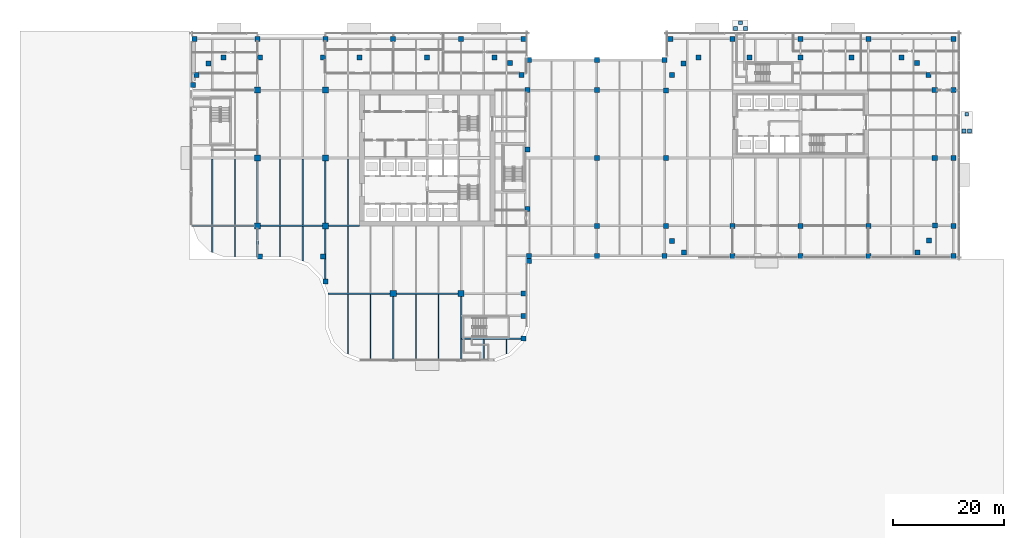
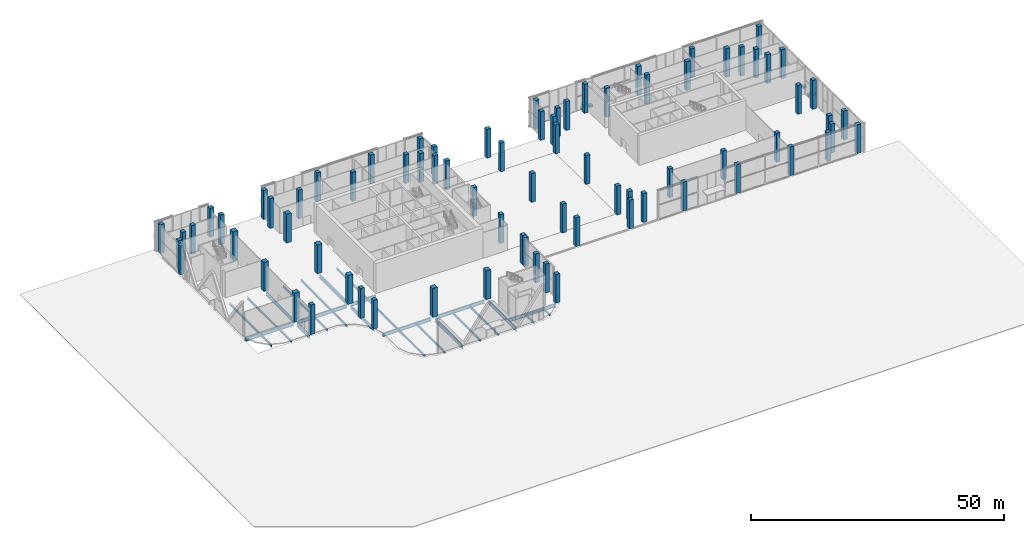
# One storey, part 1 of 36: 78 columns, 28 beams, 6 footings.
"""IFC4 building model written with IfcOpenShell, lengths in metres."""

from ifc_helpers import new_model, si_unit, direction, frame, origin, origin_2d, place, context, subcontext, project, spatial, polyline, rectangle, i_section, outline, extrude, material, layer, layer_set, material_profile, profile_set, type_object, element, save


model = new_model("IFC4")

# Units and contexts
model_context = context("Model", 3, precision=1e-05, world=origin(), true_north=direction((0.0, 1.0)))
body_context = subcontext(model_context, "Body", "Model", "MODEL_VIEW")
ifc_project = project(units=[si_unit("LENGTHUNIT", "METRE"), si_unit("AREAUNIT", "SQUARE_METRE"), si_unit("VOLUMEUNIT", "CUBIC_METRE"), si_unit("PLANEANGLEUNIT", "RADIAN"), si_unit("MASSUNIT", "GRAM", prefix="KILO")], contexts=[model_context])

# Site, building, storey
site_placement = place(None, origin())
site = spatial("IfcSite", under=ifc_project, at=site_placement, CompositionType="ELEMENT")
building_placement = place(site_placement, origin())
building = spatial("IfcBuilding", under=site, at=building_placement, Name="Tessera Gate Towers", CompositionType="ELEMENT")
storey_placement = place(building_placement, origin())
storey = spatial("IfcBuildingStorey", under=building, at=storey_placement, Name="L00", CompositionType="ELEMENT", Elevation=0.0)

# Footings
ifc_material_1 = material(Name="Concrete C30/37", Category="concrete")
ifc_layer = layer(ifc_material_1, 0.5)
ifc_layer_set = layer_set([ifc_layer], Name="APRON PAD FOOTING 700x500 C30/37")
footing_type = type_object("IfcFootingType", Name="APRON PAD FOOTING 700x500 C30/37", PredefinedType="PAD_FOOTING", material=ifc_layer_set)
footing_1_placement = place(storey_placement, frame((0.0, 0.0, -0.699951171875)))
element("IfcFooting", 1, at=footing_1_placement, inside=storey, type_object=footing_type, Name="Apron footing ST7 1", PredefinedType="PAD_FOOTING", context=body_context, shape_type="SweptSolid", body=[
    extrude(outline(polyline([(97.75, 59.550048828125), (98.449951171875, 59.550048828125), (98.449951171875, 60.25), (97.75, 60.25), (97.75, 59.550048828125)])), origin(), (0.0, 0.0, 1.0), 0.5),
])
footing_2_placement = place(storey_placement, frame((0.0, 0.0, -0.699951171875)))
element("IfcFooting", 2, at=footing_2_placement, inside=storey, type_object=footing_type, Name="Apron footing ST7 2", PredefinedType="PAD_FOOTING", context=body_context, shape_type="SweptSolid", body=[
    extrude(outline(polyline([(99.550048828125, 59.550048828125), (100.25, 59.550048828125), (100.25, 60.25), (99.550048828125, 60.25), (99.550048828125, 59.550048828125)])), origin(), (0.0, 0.0, 1.0), 0.5),
])
footing_3_placement = place(storey_placement, frame((0.0, 0.0, -0.699951171875)))
element("IfcFooting", 3, at=footing_3_placement, inside=storey, type_object=footing_type, Name="Apron footing ST7 3", PredefinedType="PAD_FOOTING", context=body_context, shape_type="SweptSolid", body=[
    extrude(outline(polyline([(98.64990234375, 60.550048828125), (99.35009765625, 60.550048828125), (99.35009765625, 61.25), (98.64990234375, 61.25), (98.64990234375, 60.550048828125)])), origin(), (0.0, 0.0, 1.0), 0.5),
])
footing_4_placement = place(storey_placement, frame((0.0, 0.0, -0.699951171875)))
element("IfcFooting", 4, at=footing_4_placement, inside=storey, type_object=footing_type, Name="Apron footing T2-CORE 1", PredefinedType="PAD_FOOTING", context=body_context, shape_type="SweptSolid", body=[
    extrude(outline(polyline([(138.85009765625, 41.10009765625), (139.550048828125, 41.10009765625), (139.550048828125, 41.800048828125), (138.85009765625, 41.800048828125), (138.85009765625, 41.10009765625)])), origin(), (0.0, 0.0, 1.0), 0.5),
])
footing_5_placement = place(storey_placement, frame((0.0, 0.0, -0.699951171875)))
element("IfcFooting", 5, at=footing_5_placement, inside=storey, type_object=footing_type, Name="Apron footing T2-CORE 2", PredefinedType="PAD_FOOTING", context=body_context, shape_type="SweptSolid", body=[
    extrude(outline(polyline([(139.85009765625, 41.10009765625), (140.550048828125, 41.10009765625), (140.550048828125, 41.800048828125), (139.85009765625, 41.800048828125), (139.85009765625, 41.10009765625)])), origin(), (0.0, 0.0, 1.0), 0.5),
])
footing_6_placement = place(storey_placement, frame((0.0, 0.0, -0.699951171875)))
element("IfcFooting", 6, at=footing_6_placement, inside=storey, type_object=footing_type, Name="Apron footing T2-CORE 3", PredefinedType="PAD_FOOTING", context=body_context, shape_type="SweptSolid", body=[
    extrude(outline(polyline([(139.35009765625, 44.10009765625), (140.050048828125, 44.10009765625), (140.050048828125, 44.800048828125), (139.35009765625, 44.800048828125), (139.35009765625, 44.10009765625)])), origin(), (0.0, 0.0, 1.0), 0.5),
])

# Columns
ifc_material_2 = material(Name="Concrete C70/85", Category="concrete")
ifc_material_profile_1 = material_profile(ifc_material_2, rectangle(XDim=1.10009765625, YDim=1.10009765625, at=origin_2d()), Name="RC 1100x1100")
ifc_profile_set_1 = profile_set([ifc_material_profile_1], Name="Concrete C70/85")
column_type_1 = type_object("IfcColumnType", Name="COLUMN RC 1100x1100", PredefinedType="COLUMN", material=ifc_profile_set_1)
for number, where, z_axis, x_axis, name in (
    (7, (12.199951171875, 24.39990234375, 0.0), (0.0, 0.0, 1.0), (1.0, 0.0, 0.0), "T1-COL-2C-L00"),
    (8, (12.199951171875, 36.60009765625, 0.0), (0.0, 0.0, 1.0), (1.0, 0.0, 0.0), "T1-COL-2D-L00"),
    (9, (12.199951171875, 48.800048828125, 0.0), (0.0, 0.0, 1.0), (1.0, 0.0, 0.0), "T1-COL-2E-L00"),
    (10, (24.39990234375, 24.39990234375, 0.0), (0.0, 0.0, 1.0), (1.0, 0.0, 0.0), "T1-COL-3C-L00"),
    (11, (24.39990234375, 36.60009765625, 0.0), (0.0, 0.0, 1.0), (1.0, 0.0, 0.0), "T1-COL-3D-L00"),
    (12, (24.39990234375, 48.800048828125, 0.0), (0.0, 0.0, 1.0), (1.0, 0.0, 0.0), "T1-COL-3E-L00"),
    (13, (36.60009765625, 12.199951171875, 0.0), (0.0, 0.0, 1.0), (1.0, 0.0, 0.0), "T1-COL-4B-L00"),
    (14, (48.800048828125, 12.199951171875, 0.0), (0.0, 0.0, 1.0), (1.0, 0.0, 0.0), "T1-COL-5B-L00"),
):
    element("IfcColumn", number, at=place(storey_placement, frame(where, z_axis=z_axis, x_axis=x_axis)), inside=storey, type_object=column_type_1, Name=name, PredefinedType="COLUMN", context=body_context, shape_type="SweptSolid", body=[
        extrude(rectangle(XDim=1.10009765625, YDim=1.10009765625, at=origin_2d()), origin(), (0.0, 0.0, 1.0), 6.949951171875),
    ])
ifc_material_3 = material(Name="Concrete C70/85", Category="concrete")
ifc_material_profile_2 = material_profile(ifc_material_3, rectangle(XDim=0.89990234375, YDim=0.89990234375, at=origin_2d()), Name="RC 900x900")
ifc_profile_set_2 = profile_set([ifc_material_profile_2], Name="Concrete C70/85")
column_type_2 = type_object("IfcColumnType", Name="COLUMN RC 900x900", PredefinedType="COLUMN", material=ifc_profile_set_2)
for number, where, z_axis, x_axis, name in (
    (15, (12.64990234375, 54.64990234375, 0.0), (0.0, 0.0, 1.0), (1.0, 0.0, 0.0), "PD-COL-E1-L00"),
    (16, (23.949951171875, 54.64990234375, 0.0), (0.0, 0.0, 1.0), (1.0, 0.0, 0.0), "PD-COL-E2-L00"),
):
    element("IfcColumn", number, at=place(storey_placement, frame(where, z_axis=z_axis, x_axis=x_axis)), inside=storey, type_object=column_type_2, Name=name, PredefinedType="COLUMN", context=body_context, shape_type="SweptSolid", body=[
        extrude(rectangle(XDim=0.89990234375, YDim=0.89990234375, at=origin_2d()), origin(), (0.0, 0.0, 1.0), 7.199951171875),
    ])
for number, where, z_axis, x_axis, name in (
    (17, (60.75, 27.449951171875, 0.0), (0.0, 0.0, 1.0), (1.0, 0.0, 0.0), "PD-COL-E3-L00"),
    (18, (60.75, 38.125, 0.0), (0.0, 0.0, 1.0), (1.0, 0.0, 0.0), "PD-COL-E4-L00"),
    (19, (60.75, 48.800048828125, 0.0), (0.0, 0.0, 1.0), (1.0, 0.0, 0.0), "PD-COL-E5-L00"),
    (20, (59.6689453125, 51.555908203125, 0.0), (0.0, 0.0, 1.0), (1.0, 0.0, 0.0), "PD-COL-E6-L00"),
    (21, (57.569091796875, 53.6259765625, 0.0), (0.0, 0.0, 1.0), (1.0, 0.0, 0.0), "PD-COL-E7-L00"),
    (22, (54.81005859375, 54.6669921875, 0.0), (0.0, 0.0, 1.0), (1.0, 0.0, 0.0), "PD-COL-E8-L00"),
    (23, (42.699951171875, 54.64990234375, 0.0), (0.0, 0.0, 1.0), (1.0, 0.0, 0.0), "PD-COL-E9-L00"),
    (24, (30.5, 54.64990234375, 0.0), (0.0, 0.0, 1.0), (1.0, 0.0, 0.0), "PD-COL-E10-L00"),
    (25, (6.10009765625, 54.64990234375, 0.0), (0.0, 0.0, 1.0), (1.0, 0.0, 0.0), "PD-COL-E11-L00"),
    (26, (3.343994140625, 53.569091796875, 0.0), (0.0, 0.0, 1.0), (1.0, 0.0, 0.0), "PD-COL-E12-L00"),
    (27, (1.27392578125, 51.468994140625, 0.0), (0.0, 0.0, 1.0), (1.0, 0.0, 0.0), "PD-COL-E13-L00"),
    (28, (130.85595703125, 19.631103515625, 0.0), (0.0, 0.0, 1.0), (1.0, 0.0, 0.0), "PD-COL-E14-L00"),
    (29, (132.926025390625, 21.73095703125, 0.0), (0.0, 0.0, 1.0), (1.0, 0.0, 0.0), "PD-COL-E15-L00"),
    (30, (133.967041015625, 24.489990234375, 0.0), (0.0, 0.0, 1.0), (1.0, 0.0, 0.0), "PD-COL-E16-L00"),
    (31, (133.949951171875, 36.60009765625, 0.0), (0.0, 0.0, 1.0), (1.0, 0.0, 0.0), "PD-COL-E17-L00"),
    (32, (133.949951171875, 48.800048828125, 0.0), (0.0, 0.0, 1.0), (1.0, 0.0, 0.0), "PD-COL-E18-L00"),
    (33, (132.868896484375, 51.555908203125, 0.0), (0.0, 0.0, 1.0), (1.0, 0.0, 0.0), "PD-COL-E19-L00"),
    (34, (130.76904296875, 53.6259765625, 0.0), (0.0, 0.0, 1.0), (1.0, 0.0, 0.0), "PD-COL-E20-L00"),
    (35, (128.010009765625, 54.6669921875, 0.0), (0.0, 0.0, 1.0), (1.0, 0.0, 0.0), "PD-COL-E21-L00"),
    (36, (118.949951171875, 54.64990234375, 0.0), (0.0, 0.0, 1.0), (1.0, 0.0, 0.0), "PD-COL-E22-L00"),
    (37, (109.800048828125, 54.64990234375, 0.0), (0.0, 0.0, 1.0), (1.0, 0.0, 0.0), "PD-COL-E23-L00"),
    (38, (100.64990234375, 54.64990234375, 0.0), (0.0, 0.0, 1.0), (1.0, 0.0, 0.0), "PD-COL-E24-L00"),
    (39, (91.5, 54.64990234375, 0.0), (0.0, 0.0, 1.0), (1.0, 0.0, 0.0), "PD-COL-E25-L00"),
    (40, (88.743896484375, 53.569091796875, 0.0), (0.0, 0.0, 1.0), (1.0, 0.0, 0.0), "PD-COL-E26-L00"),
    (41, (86.674072265625, 51.468994140625, 0.0), (0.0, 0.0, 1.0), (1.0, 0.0, 0.0), "PD-COL-E27-L00"),
    (42, (85.633056640625, 48.7099609375, 0.0), (0.0, 0.0, 1.0), (1.0, 0.0, 0.0), "PD-COL-E28-L00"),
    (43, (85.64990234375, 36.60009765625, 0.0), (0.0, 0.0, 1.0), (1.0, 0.0, 0.0), "PD-COL-E29-L00"),
    (44, (85.64990234375, 24.39990234375, 0.0), (0.0, 0.0, 1.0), (1.0, 0.0, 0.0), "PD-COL-E30-L00"),
    (45, (86.73095703125, 21.64404296875, 0.0), (0.0, 0.0, 1.0), (1.0, 0.0, 0.0), "PD-COL-E31-L00"),
    (46, (88.8310546875, 19.573974609375, 0.0), (0.0, 0.0, 1.0), (1.0, 0.0, 0.0), "PD-COL-E32-L00"),
    (47, (97.60009765625, 24.39990234375, 0.0), (0.0, 0.0, 1.0), (1.0, 0.0, 0.0), "T2-COL-9C-L00"),
    (48, (109.800048828125, 24.39990234375, 0.0), (0.0, 0.0, 1.0), (1.0, 0.0, 0.0), "T2-COL-10C-L00"),
    (49, (122.0, 24.39990234375, 0.0), (0.0, 0.0, 1.0), (1.0, 0.0, 0.0), "T2-COL-11C-L00"),
    (50, (73.199951171875, 24.39990234375, 0.0), (0.0, 0.0, 1.0), (1.0, 0.0, 0.0), "PD-COL-7C-L00"),
    (51, (73.199951171875, 36.60009765625, 0.0), (0.0, 0.0, 1.0), (1.0, 0.0, 0.0), "PD-COL-7D-L00"),
    (52, (73.199951171875, 48.800048828125, 0.0), (0.0, 0.0, 1.0), (1.0, 0.0, 0.0), "PD-COL-7E-L00"),
    (53, (12.199951171875, 58.0, 0.0), (0.0, 0.0, 1.0), (1.0, 0.0, 0.0), "PD-COL-258-L00"),
    (54, (24.39990234375, 58.0, 0.0), (0.0, 0.0, 1.0), (1.0, 0.0, 0.0), "PD-COL-358-L00"),
    (55, (36.60009765625, 58.0, 0.0), (0.0, 0.0, 1.0), (1.0, 0.0, 0.0), "PD-COL-458-L00"),
    (56, (48.800048828125, 58.0, 0.0), (0.0, 0.0, 1.0), (1.0, 0.0, 0.0), "PD-COL-558-L00"),
    (57, (97.60009765625, 58.0, 0.0), (0.0, 0.0, 1.0), (1.0, 0.0, 0.0), "PD-COL-958-L00"),
    (58, (109.800048828125, 58.0, 0.0), (0.0, 0.0, 1.0), (1.0, 0.0, 0.0), "PD-COL-1058-L00"),
    (59, (122.0, 58.0, 0.0), (0.0, 0.0, 1.0), (1.0, 0.0, 0.0), "PD-COL-1158-L00"),
    (60, (137.300048828125, 58.0, 0.0), (0.0, 0.0, 1.0), (1.0, 0.0, 0.0), "PD-COL-137.358-L00"),
    (61, (137.300048828125, 48.800048828125, 0.0), (0.0, 0.0, 1.0), (1.0, 0.0, 0.0), "PD-COL-137.3E-L00"),
    (62, (137.300048828125, 36.60009765625, 0.0), (0.0, 0.0, 1.0), (1.0, 0.0, 0.0), "PD-COL-137.3D-L00"),
    (63, (137.300048828125, 24.39990234375, 0.0), (0.0, 0.0, 1.0), (1.0, 0.0, 0.0), "PD-COL-137.3C-L00"),
    (64, (61.0, 19.0, 0.0), (0.0, 0.0, 1.0), (1.0, 0.0, 0.0), "PD-COL-619-L00"),
    (65, (73.199951171875, 19.0, 0.0), (0.0, 0.0, 1.0), (1.0, 0.0, 0.0), "PD-COL-719-L00"),
    (66, (85.39990234375, 19.0, 0.0), (0.0, 0.0, 1.0), (1.0, 0.0, 0.0), "PD-COL-819-L00"),
    (67, (97.60009765625, 19.0, 0.0), (0.0, 0.0, 1.0), (1.0, 0.0, 0.0), "PD-COL-919-L00"),
    (68, (109.800048828125, 19.0, 0.0), (0.0, 0.0, 1.0), (1.0, 0.0, 0.0), "PD-COL-1019-L00"),
    (69, (122.0, 19.0, 0.0), (0.0, 0.0, 1.0), (1.0, 0.0, 0.0), "PD-COL-1119-L00"),
    (70, (137.300048828125, 19.0, 0.0), (0.0, 0.0, 1.0), (1.0, 0.0, 0.0), "PD-COL-137.319-L00"),
    (71, (61.0, 54.199951171875, 0.0), (0.0, 0.0, 1.0), (1.0, 0.0, 0.0), "PD-COL-654.2-L00"),
    (72, (73.199951171875, 54.199951171875, 0.0), (0.0, 0.0, 1.0), (1.0, 0.0, 0.0), "PD-COL-754.2-L00"),
    (73, (85.39990234375, 54.199951171875, 0.0), (0.0, 0.0, 1.0), (1.0, 0.0, 0.0), "PD-COL-854.2-L00"),
    (74, (60.0, 58.0, 0.0), (0.0, 0.0, 1.0), (1.0, 0.0, 0.0), "PD-COL-6058-L00"),
    (75, (86.39990234375, 58.0, 0.0), (0.0, 0.0, 1.0), (1.0, 0.0, 0.0), "PD-COL-86.458-L00"),
    (76, (0.89990234375, 58.0, 0.0), (0.0, 0.0, 1.0), (1.0, 0.0, 0.0), "PD-COL-0.958-L00"),
    (77, (60.0, 12.199951171875, 0.0), (0.0, 0.0, 1.0), (1.0, 0.0, 0.0), "PD-COL-60B-L00"),
    (78, (24.39990234375, 14.39990234375, 0.0), (0.0, 0.0, 1.0), (1.0, 0.0, 0.0), "PD-COL-314.4-L00"),
    (79, (60.0, 8.199951171875, 0.0), (0.0, 0.0, 1.0), (1.0, 0.0, 0.0), "PD-COL-608.2-L00"),
    (80, (60.0, 4.10009765625, 0.0), (0.0, 0.0, 1.0), (1.0, 0.0, 0.0), "PD-COL-604.1-L00"),
    (81, (61.0, 18.10009765625, 0.0), (0.0, 0.0, 1.0), (1.0, 0.0, 0.0), "PD-COL-618.1-L00"),
    (82, (0.6201171875, 49.719970703125, 0.0), (0.0, 0.0, 1.0), (1.0, 0.0, 0.0), "PD-COL-0.6249.72-L00"),
):
    element("IfcColumn", number, at=place(storey_placement, frame(where, z_axis=z_axis, x_axis=x_axis)), inside=storey, type_object=column_type_2, Name=name, PredefinedType="COLUMN", context=body_context, shape_type="SweptSolid", body=[
        extrude(rectangle(XDim=0.89990234375, YDim=0.89990234375, at=origin_2d()), origin(), (0.0, 0.0, 1.0), 6.949951171875),
    ])
for number, where, z_axis, x_axis, name in (
    (83, (12.64990234375, 18.89990234375, 0.0), (0.0, 0.0, 1.0), (1.0, 0.0, 0.0), "PD-COL-MOUTH1-L00"),
    (84, (23.949951171875, 18.89990234375, 0.0), (0.0, 0.0, 1.0), (1.0, 0.0, 0.0), "PD-COL-MOUTH2-L00"),
):
    element("IfcColumn", number, at=place(storey_placement, frame(where, z_axis=z_axis, x_axis=x_axis)), inside=storey, type_object=column_type_2, Name=name, PredefinedType="COLUMN", context=body_context, shape_type="SweptSolid", body=[
        extrude(rectangle(XDim=0.89990234375, YDim=0.89990234375, at=origin_2d()), origin(), (0.0, 0.0, 1.0), 7.199951171875),
    ])

# Beams
ifc_material_4 = material(Name="Steel 350W", Category="steel")
ifc_material_profile_3 = material_profile(ifc_material_4, i_section(OverallWidth=0.2919921875, OverallDepth=0.8349609375, WebThickness=0.013916015625, FlangeThickness=0.018798828125, at=origin_2d()), Name="W840x176")
ifc_profile_set_3 = profile_set([ifc_material_profile_3], Name="Steel 350W")
beam_type_1 = type_object("IfcBeamType", Name="FLOOR GIRDER W840x176", PredefinedType="BEAM", material=ifc_profile_set_3)
beam_1_placement = place(storey_placement, frame((24.89892578125, 12.199951171875, -0.66748046875), z_axis=(1.0, 0.0, 0.0), x_axis=(0.0, 1.0, 0.0)))
element("IfcBeam", 85, at=beam_1_placement, inside=storey, type_object=beam_type_1, Name="PD-GD-L00-11", PredefinedType="BEAM", context=body_context, shape_type="SweptSolid", body=[
    extrude(i_section(OverallWidth=0.2919921875, OverallDepth=0.8349609375, WebThickness=0.013916015625, FlangeThickness=0.018798828125, at=origin_2d()), origin(), (0.0, 0.0, 1.0), 11.151123046875),
])
beam_2_placement = place(storey_placement, frame((37.14990234375, 12.199951171875, -0.66748046875), z_axis=(1.0, 0.0, 0.0), x_axis=(0.0, 1.0, 0.0)))
element("IfcBeam", 86, at=beam_2_placement, inside=storey, type_object=beam_type_1, Name="PD-GD-L00-12", PredefinedType="BEAM", context=body_context, shape_type="SweptSolid", body=[
    extrude(i_section(OverallWidth=0.2919921875, OverallDepth=0.8349609375, WebThickness=0.013916015625, FlangeThickness=0.018798828125, at=origin_2d()), origin(), (0.0, 0.0, 1.0), 11.10009765625),
])
beam_3_placement = place(storey_placement, frame((0.534912109375, 24.39990234375, -0.66748046875), z_axis=(1.0, 0.0, 0.0), x_axis=(0.0, 1.0, 0.0)))
element("IfcBeam", 87, at=beam_3_placement, inside=storey, type_object=beam_type_1, Name="PD-GD-L00-14", PredefinedType="BEAM", context=body_context, shape_type="SweptSolid", body=[
    extrude(i_section(OverallWidth=0.2919921875, OverallDepth=0.8349609375, WebThickness=0.013916015625, FlangeThickness=0.018798828125, at=origin_2d()), origin(), (0.0, 0.0, 1.0), 11.114990234375),
])
beam_4_placement = place(storey_placement, frame((12.75, 24.39990234375, -0.66748046875), z_axis=(1.0, 0.0, 0.0), x_axis=(0.0, 1.0, 0.0)))
element("IfcBeam", 88, at=beam_4_placement, inside=storey, type_object=beam_type_1, Name="PD-GD-L00-15", PredefinedType="BEAM", context=body_context, shape_type="SweptSolid", body=[
    extrude(i_section(OverallWidth=0.2919921875, OverallDepth=0.8349609375, WebThickness=0.013916015625, FlangeThickness=0.018798828125, at=origin_2d()), origin(), (0.0, 0.0, 1.0), 11.10009765625),
])
beam_5_placement = place(storey_placement, frame((24.949951171875, 24.39990234375, -0.66748046875), z_axis=(1.0, 0.0, 0.0), x_axis=(0.0, 1.0, 0.0)))
element("IfcBeam", 89, at=beam_5_placement, inside=storey, type_object=beam_type_1, Name="PD-GD-L00-16", PredefinedType="BEAM", context=body_context, shape_type="SweptSolid", body=[
    extrude(i_section(OverallWidth=0.2919921875, OverallDepth=0.8349609375, WebThickness=0.013916015625, FlangeThickness=0.018798828125, at=origin_2d()), origin(), (0.0, 0.0, 1.0), 5.549072265625),
])
beam_6_placement = place(storey_placement, frame((12.199951171875, 18.799072265625, -0.66748046875), z_axis=(0.0, 1.0, 0.0), x_axis=(-1.0, 0.0, 0.0)))
element("IfcBeam", 90, at=beam_6_placement, inside=storey, type_object=beam_type_1, Name="PD-GD-L00-49", PredefinedType="BEAM", context=body_context, shape_type="SweptSolid", body=[
    extrude(i_section(OverallWidth=0.2919921875, OverallDepth=0.8349609375, WebThickness=0.013916015625, FlangeThickness=0.018798828125, at=origin_2d()), origin(), (0.0, 0.0, 1.0), 5.051025390625),
])
beam_7_placement = place(storey_placement, frame((12.199951171875, 24.949951171875, -0.66748046875), z_axis=(0.0, 1.0, 0.0), x_axis=(-1.0, 0.0, 0.0)))
element("IfcBeam", 91, at=beam_7_placement, inside=storey, type_object=beam_type_1, Name="PD-GD-L00-50", PredefinedType="BEAM", context=body_context, shape_type="SweptSolid", body=[
    extrude(i_section(OverallWidth=0.2919921875, OverallDepth=0.8349609375, WebThickness=0.013916015625, FlangeThickness=0.018798828125, at=origin_2d()), origin(), (0.0, 0.0, 1.0), 11.10009765625),
])
beam_8_placement = place(storey_placement, frame((24.39990234375, 14.85009765625, -0.66748046875), z_axis=(0.0, 1.0, 0.0), x_axis=(-1.0, 0.0, 0.0)))
element("IfcBeam", 92, at=beam_8_placement, inside=storey, type_object=beam_type_1, Name="PD-GD-L00-53", PredefinedType="BEAM", context=body_context, shape_type="SweptSolid", body=[
    extrude(i_section(OverallWidth=0.2919921875, OverallDepth=0.8349609375, WebThickness=0.013916015625, FlangeThickness=0.018798828125, at=origin_2d()), origin(), (0.0, 0.0, 1.0), 9.0),
])
beam_9_placement = place(storey_placement, frame((24.39990234375, 24.949951171875, -0.66748046875), z_axis=(0.0, 1.0, 0.0), x_axis=(-1.0, 0.0, 0.0)))
element("IfcBeam", 93, at=beam_9_placement, inside=storey, type_object=beam_type_1, Name="PD-GD-L00-54", PredefinedType="BEAM", context=body_context, shape_type="SweptSolid", body=[
    extrude(i_section(OverallWidth=0.2919921875, OverallDepth=0.8349609375, WebThickness=0.013916015625, FlangeThickness=0.018798828125, at=origin_2d()), origin(), (0.0, 0.0, 1.0), 11.10009765625),
])
for number, where, z_axis, x_axis, name in (
    (94, (36.60009765625, 0.4990234375, -0.66748046875), (0.0, 1.0, 0.0), (-1.0, 0.0, 0.0), "PD-GD-L00-57"),
    (95, (48.800048828125, 0.4990234375, -0.66748046875), (0.0, 1.0, 0.0), (-1.0, 0.0, 0.0), "PD-GD-L00-59"),
):
    element("IfcBeam", number, at=place(storey_placement, frame(where, z_axis=z_axis, x_axis=x_axis)), inside=storey, type_object=beam_type_1, Name=name, PredefinedType="BEAM", context=body_context, shape_type="SweptSolid", body=[
        extrude(i_section(OverallWidth=0.2919921875, OverallDepth=0.8349609375, WebThickness=0.013916015625, FlangeThickness=0.018798828125, at=origin_2d()), origin(), (0.0, 0.0, 1.0), 11.15087890625),
    ])
beam_10_placement = place(storey_placement, frame((48.904541015625, 4.080078125, -0.66748046875), z_axis=(1.0, 0.0, 0.0), x_axis=(0.0, 1.0, 0.0)))
element("IfcBeam", 96, at=beam_10_placement, inside=storey, type_object=beam_type_1, Name="PD-GD-L00-77", PredefinedType="BEAM", context=body_context, shape_type="SweptSolid", body=[
    extrude(i_section(OverallWidth=0.2919921875, OverallDepth=0.8349609375, WebThickness=0.013916015625, FlangeThickness=0.018798828125, at=origin_2d()), origin(), (0.0, 0.0, 1.0), 10.78125),
])
ifc_material_5 = material(Name="Steel 350W", Category="steel")
ifc_material_profile_4 = material_profile(ifc_material_5, i_section(OverallWidth=0.208984375, OverallDepth=0.528076171875, WebThickness=0.009521484375, FlangeThickness=0.01318359375, at=origin_2d()), Name="W530x82")
ifc_profile_set_4 = profile_set([ifc_material_profile_4], Name="Steel 350W")
beam_type_2 = type_object("IfcBeamType", Name="FLOOR SECONDARY W530x82", PredefinedType="BEAM", material=ifc_profile_set_4)
beam_11_placement = place(storey_placement, frame((4.066650390625, 19.620361328125, -0.513916015625), z_axis=(0.0, 1.0, 0.0), x_axis=(-1.0, 0.0, 0.0)))
element("IfcBeam", 97, at=beam_11_placement, inside=storey, type_object=beam_type_2, Name="PD-BM-L00-85", PredefinedType="BEAM", context=body_context, shape_type="SweptSolid", body=[
    extrude(i_section(OverallWidth=0.208984375, OverallDepth=0.528076171875, WebThickness=0.009521484375, FlangeThickness=0.01318359375, at=origin_2d()), origin(), (0.0, 0.0, 1.0), 4.633544921875),
])
beam_12_placement = place(storey_placement, frame((4.066650390625, 24.5458984375, -0.513916015625), z_axis=(0.0, 1.0, 0.0), x_axis=(-1.0, 0.0, 0.0)))
element("IfcBeam", 98, at=beam_12_placement, inside=storey, type_object=beam_type_2, Name="PD-BM-L00-86", PredefinedType="BEAM", context=body_context, shape_type="SweptSolid", body=[
    extrude(i_section(OverallWidth=0.208984375, OverallDepth=0.528076171875, WebThickness=0.009521484375, FlangeThickness=0.01318359375, at=origin_2d()), origin(), (0.0, 0.0, 1.0), 11.908203125),
])
beam_13_placement = place(storey_placement, frame((8.13330078125, 18.800048828125, -0.513916015625), z_axis=(0.0, 1.0, 0.0), x_axis=(-1.0, 0.0, 0.0)))
element("IfcBeam", 99, at=beam_13_placement, inside=storey, type_object=beam_type_2, Name="PD-BM-L00-89", PredefinedType="BEAM", context=body_context, shape_type="SweptSolid", body=[
    extrude(i_section(OverallWidth=0.208984375, OverallDepth=0.528076171875, WebThickness=0.009521484375, FlangeThickness=0.01318359375, at=origin_2d()), origin(), (0.0, 0.0, 1.0), 5.453857421875),
])
beam_14_placement = place(storey_placement, frame((8.13330078125, 24.5458984375, -0.513916015625), z_axis=(0.0, 1.0, 0.0), x_axis=(-1.0, 0.0, 0.0)))
element("IfcBeam", 100, at=beam_14_placement, inside=storey, type_object=beam_type_2, Name="PD-BM-L00-90", PredefinedType="BEAM", context=body_context, shape_type="SweptSolid", body=[
    extrude(i_section(OverallWidth=0.208984375, OverallDepth=0.528076171875, WebThickness=0.009521484375, FlangeThickness=0.01318359375, at=origin_2d()), origin(), (0.0, 0.0, 1.0), 11.908203125),
])
beam_15_placement = place(storey_placement, frame((16.2666015625, 18.800048828125, -0.513916015625), z_axis=(0.0, 1.0, 0.0), x_axis=(-1.0, 0.0, 0.0)))
element("IfcBeam", 101, at=beam_15_placement, inside=storey, type_object=beam_type_2, Name="PD-BM-L00-93", PredefinedType="BEAM", context=body_context, shape_type="SweptSolid", body=[
    extrude(i_section(OverallWidth=0.208984375, OverallDepth=0.528076171875, WebThickness=0.009521484375, FlangeThickness=0.01318359375, at=origin_2d()), origin(), (0.0, 0.0, 1.0), 5.453857421875),
])
beam_16_placement = place(storey_placement, frame((16.2666015625, 24.5458984375, -0.513916015625), z_axis=(0.0, 1.0, 0.0), x_axis=(-1.0, 0.0, 0.0)))
element("IfcBeam", 102, at=beam_16_placement, inside=storey, type_object=beam_type_2, Name="PD-BM-L00-94", PredefinedType="BEAM", context=body_context, shape_type="SweptSolid", body=[
    extrude(i_section(OverallWidth=0.208984375, OverallDepth=0.528076171875, WebThickness=0.009521484375, FlangeThickness=0.01318359375, at=origin_2d()), origin(), (0.0, 0.0, 1.0), 11.908203125),
])
beam_17_placement = place(storey_placement, frame((20.333251953125, 18.051513671875, -0.513916015625), z_axis=(0.0, 1.0, 0.0), x_axis=(-1.0, 0.0, 0.0)))
element("IfcBeam", 103, at=beam_17_placement, inside=storey, type_object=beam_type_2, Name="PD-BM-L00-97", PredefinedType="BEAM", context=body_context, shape_type="SweptSolid", body=[
    extrude(i_section(OverallWidth=0.208984375, OverallDepth=0.528076171875, WebThickness=0.009521484375, FlangeThickness=0.01318359375, at=origin_2d()), origin(), (0.0, 0.0, 1.0), 6.202392578125),
])
beam_18_placement = place(storey_placement, frame((20.333251953125, 24.5458984375, -0.513916015625), z_axis=(0.0, 1.0, 0.0), x_axis=(-1.0, 0.0, 0.0)))
element("IfcBeam", 104, at=beam_18_placement, inside=storey, type_object=beam_type_2, Name="PD-BM-L00-98", PredefinedType="BEAM", context=body_context, shape_type="SweptSolid", body=[
    extrude(i_section(OverallWidth=0.208984375, OverallDepth=0.528076171875, WebThickness=0.009521484375, FlangeThickness=0.01318359375, at=origin_2d()), origin(), (0.0, 0.0, 1.0), 11.908203125),
])
beam_19_placement = place(storey_placement, frame((28.466796875, 1.3203125, -0.513916015625), z_axis=(0.0, 1.0, 0.0), x_axis=(-1.0, 0.0, 0.0)))
element("IfcBeam", 105, at=beam_19_placement, inside=storey, type_object=beam_type_2, Name="PD-BM-L00-101", PredefinedType="BEAM", context=body_context, shape_type="SweptSolid", body=[
    extrude(i_section(OverallWidth=0.208984375, OverallDepth=0.528076171875, WebThickness=0.009521484375, FlangeThickness=0.01318359375, at=origin_2d()), origin(), (0.0, 0.0, 1.0), 10.733642578125),
])
beam_20_placement = place(storey_placement, frame((28.466796875, 12.345947265625, -0.513916015625), z_axis=(0.0, 1.0, 0.0), x_axis=(-1.0, 0.0, 0.0)))
element("IfcBeam", 106, at=beam_20_placement, inside=storey, type_object=beam_type_2, Name="PD-BM-L00-102", PredefinedType="BEAM", context=body_context, shape_type="SweptSolid", body=[
    extrude(i_section(OverallWidth=0.208984375, OverallDepth=0.528076171875, WebThickness=0.009521484375, FlangeThickness=0.01318359375, at=origin_2d()), origin(), (0.0, 0.0, 1.0), 11.907958984375),
])
beam_21_placement = place(storey_placement, frame((28.466796875, 24.5458984375, -0.513916015625), z_axis=(0.0, 1.0, 0.0), x_axis=(-1.0, 0.0, 0.0)))
element("IfcBeam", 107, at=beam_21_placement, inside=storey, type_object=beam_type_2, Name="PD-BM-L00-103", PredefinedType="BEAM", context=body_context, shape_type="SweptSolid", body=[
    extrude(i_section(OverallWidth=0.208984375, OverallDepth=0.528076171875, WebThickness=0.009521484375, FlangeThickness=0.01318359375, at=origin_2d()), origin(), (0.0, 0.0, 1.0), 11.908203125),
])
for number, where, z_axis, x_axis, name in (
    (108, (32.533203125, 0.5, -0.513916015625), (0.0, 1.0, 0.0), (-1.0, 0.0, 0.0), "PD-BM-L00-106"),
    (109, (40.666748046875, 0.5, -0.513916015625), (0.0, 1.0, 0.0), (-1.0, 0.0, 0.0), "PD-BM-L00-110"),
    (110, (44.7333984375, 0.5, -0.513916015625), (0.0, 1.0, 0.0), (-1.0, 0.0, 0.0), "PD-BM-L00-113"),
):
    element("IfcBeam", number, at=place(storey_placement, frame(where, z_axis=z_axis, x_axis=x_axis)), inside=storey, type_object=beam_type_2, Name=name, PredefinedType="BEAM", context=body_context, shape_type="SweptSolid", body=[
        extrude(i_section(OverallWidth=0.208984375, OverallDepth=0.528076171875, WebThickness=0.009521484375, FlangeThickness=0.01318359375, at=origin_2d()), origin(), (0.0, 0.0, 1.0), 11.553955078125),
    ])
beam_22_placement = place(storey_placement, frame((52.86669921875, 0.5, -0.513916015625), z_axis=(0.0, 1.0, 0.0), x_axis=(-1.0, 0.0, 0.0)))
element("IfcBeam", 111, at=beam_22_placement, inside=storey, type_object=beam_type_2, Name="PD-BM-L00-117", PredefinedType="BEAM", context=body_context, shape_type="SweptSolid", body=[
    extrude(i_section(OverallWidth=0.208984375, OverallDepth=0.528076171875, WebThickness=0.009521484375, FlangeThickness=0.01318359375, at=origin_2d()), origin(), (0.0, 0.0, 1.0), 3.43408203125),
])
beam_23_placement = place(storey_placement, frame((56.933349609375, 1.3203125, -0.513916015625), z_axis=(0.0, 1.0, 0.0), x_axis=(-1.0, 0.0, 0.0)))
element("IfcBeam", 112, at=beam_23_placement, inside=storey, type_object=beam_type_2, Name="PD-BM-L00-121", PredefinedType="BEAM", context=body_context, shape_type="SweptSolid", body=[
    extrude(i_section(OverallWidth=0.208984375, OverallDepth=0.528076171875, WebThickness=0.009521484375, FlangeThickness=0.01318359375, at=origin_2d()), origin(), (0.0, 0.0, 1.0), 2.61376953125),
])

save(model, "model.ifc")
